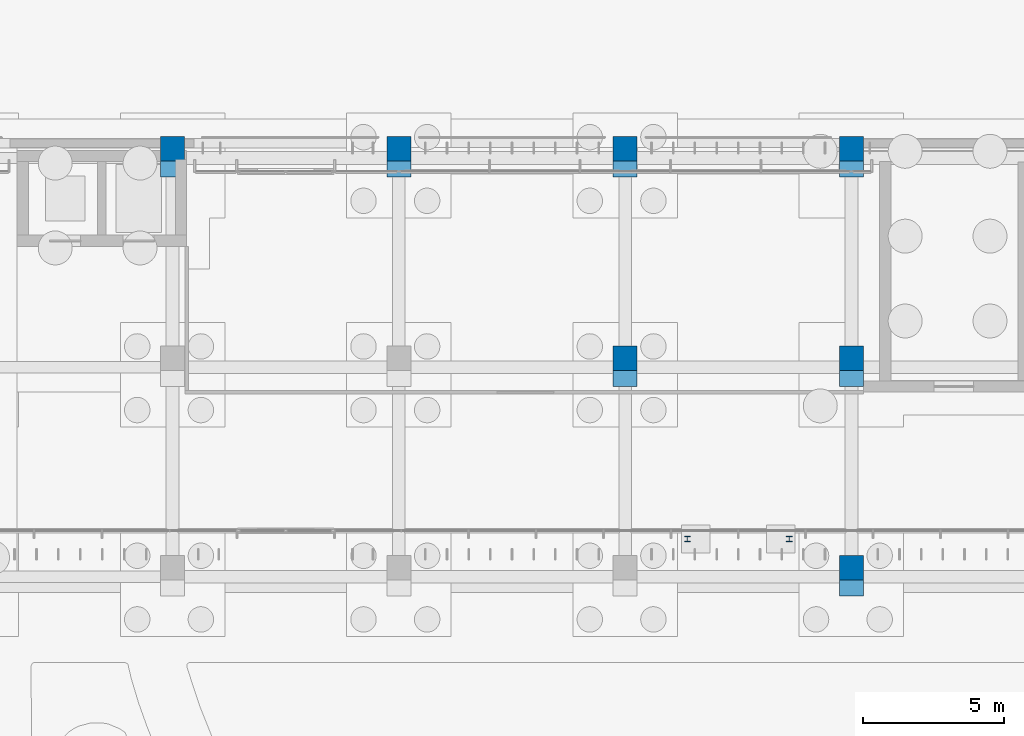
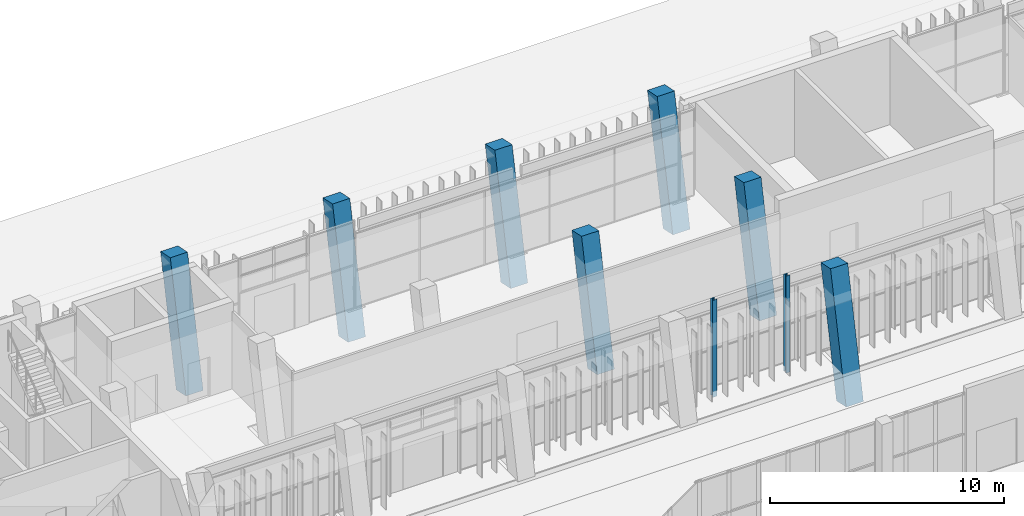
# One storey, part 23 of 144: 9 columns.
"""IFC4 building model written with IfcOpenShell, lengths in metres."""

import ifcopenshell
import ifcopenshell.guid

model = None  # the IFC model being written
_history = None  # IfcOwnerHistory: only IFC2X3 demands one
_inside = {}  # id of a spatial element -> (the spatial element, [elements in it])
_under = {}  # id of a project, library or spatial element -> (it, [spatial elements below it])
_declared = {}  # id of a project -> (the project, [libraries it declares])
_typed = {}  # id of a type object -> (the type object, [elements of that type])
_made_of = {}  # id of a material, layer set ... -> (it, [elements and type objects made of it])


def new_model(schema):
    """Start an empty IFC model of exactly this schema.

    Asked for "IFC4X3", IfcOpenShell would pick the latest addendum, in which some entities
    have other attributes; the version numbers below select the first issue.
    IFC2X3 requires an IfcOwnerHistory on every rooted entity: one is made here for all.
    """
    global model, _history
    if schema == "IFC4X3":
        model = ifcopenshell.file(schema_version=(4, 3, 0, 0))
    else:
        model = ifcopenshell.file(schema=schema)
    _inside.clear()
    _under.clear()
    _declared.clear()
    _typed.clear()
    _made_of.clear()
    _history = None
    if model.schema == "IFC2X3":
        org = make("IfcOrganization", Name="unknown")
        user = make(
            "IfcPersonAndOrganization",
            ThePerson=make("IfcPerson", FamilyName="unknown"),
            TheOrganization=org,
        )
        app = make(
            "IfcApplication",
            ApplicationDeveloper=org,
            Version="unknown",
            ApplicationFullName="unknown",
            ApplicationIdentifier="unknown",
        )
        _history = make(
            "IfcOwnerHistory",
            OwningUser=user,
            OwningApplication=app,
            ChangeAction="ADDED",
            CreationDate=0,
        )
    return model


def make(cls, **values):
    """One entity of the class cls with the attributes given. An attribute that is None is left unset."""
    return model.create_entity(
        cls, **{name: value for name, value in values.items() if value is not None}
    )


def rooted(cls, **values):
    """An entity with a GlobalId (a new one), such as an element, a storey or a relation."""
    return make(cls, GlobalId=ifcopenshell.guid.new(), OwnerHistory=_history, **values)


def si_unit(unit_type, name, prefix=None):
    """IfcSIUnit, for example si_unit("LENGTHUNIT", "METRE", prefix="MILLI")."""
    return make("IfcSIUnit", UnitType=unit_type, Prefix=prefix, Name=name)


def assignment(units):
    """IfcUnitAssignment: the units of a project."""
    return None if units is None else make("IfcUnitAssignment", Units=units)


def point(xyz):
    """IfcCartesianPoint."""
    return None if xyz is None else make("IfcCartesianPoint", Coordinates=xyz)


def direction(xyz):
    """IfcDirection."""
    return None if xyz is None else make("IfcDirection", DirectionRatios=xyz)


def frame(location, z_axis=None, x_axis=None):
    """IfcAxis2Placement3D, a coordinate frame: its origin and axes. An axis left out is left unset."""
    return make(
        "IfcAxis2Placement3D",
        Location=point(location),
        Axis=direction(z_axis),
        RefDirection=direction(x_axis),
    )


def frame_2d(location, x_axis=None):
    """IfcAxis2Placement2D, a coordinate frame in the plane: its origin and x axis."""
    return make(
        "IfcAxis2Placement2D", Location=point(location), RefDirection=direction(x_axis)
    )


def origin():
    """The frame at (0, 0, 0) with its axes left unset."""
    return frame((0.0, 0.0, 0.0))


def origin_2d():
    """The frame at (0, 0) in the plane with its x axis left unset."""
    return frame_2d((0.0, 0.0))


def place(relative_to, where):
    """IfcLocalPlacement: puts the frame where relative to a parent placement (None: the world)."""
    return make(
        "IfcLocalPlacement", PlacementRelTo=relative_to, RelativePlacement=where
    )


def context(
    kind, dimensions, precision=None, world=None, true_north=None, identifier=None
):
    """IfcGeometricRepresentationContext, for example the 3D "Model" context."""
    return make(
        "IfcGeometricRepresentationContext",
        ContextIdentifier=identifier,
        ContextType=kind,
        CoordinateSpaceDimension=dimensions,
        Precision=precision,
        WorldCoordinateSystem=world,
        TrueNorth=true_north,
    )


def subcontext(parent, identifier, kind, view, scale=None):
    """IfcGeometricRepresentationSubContext, for example "Body" below "Model"."""
    return make(
        "IfcGeometricRepresentationSubContext",
        ContextIdentifier=identifier,
        ContextType=kind,
        ParentContext=parent,
        TargetScale=scale,
        TargetView=view,
    )


def project(units=None, contexts=None):
    """IfcProject with its units and contexts."""
    return rooted(
        "IfcProject",
        Name="project",
        RepresentationContexts=contexts,
        UnitsInContext=assignment(units),
    )


def spatial(cls, under=None, at=None, **own):
    """A site, building, storey or space (cls), placed at a placement, below another one or the project."""
    s = rooted(cls, ObjectPlacement=at, **own)
    if under is not None:
        _under.setdefault(under.id(), (under, []))[1].append(s)
    return s


def profile(cls, at=None, kind="AREA", **sizes):
    """A parametric profile (cls). Its sizes go by their IFC names, for example OverallWidth=200.0."""
    return make(cls, ProfileType=kind, Position=at, **sizes)


def rectangle(**sizes):
    """IfcRectangleProfileDef."""
    return profile("IfcRectangleProfileDef", **sizes)


def i_section(**sizes):
    """IfcIShapeProfileDef."""
    return profile("IfcIShapeProfileDef", **sizes)


def extrude(swept, where, along, depth):
    """IfcExtrudedAreaSolid: the profile swept, set in the frame where, extruded along a direction by depth."""
    return make(
        "IfcExtrudedAreaSolid",
        SweptArea=swept,
        Position=where,
        ExtrudedDirection=direction(along),
        Depth=depth,
    )


def shape(context_of_items, identifier, shape_type, items):
    """IfcShapeRepresentation: the items that make up one representation, for example the "Body"."""
    return make(
        "IfcShapeRepresentation",
        ContextOfItems=context_of_items,
        RepresentationIdentifier=identifier,
        RepresentationType=shape_type,
        Items=items,
    )


def material(Name=None, Category=None):
    """IfcMaterial."""
    return make("IfcMaterial", Name=Name, Category=Category)


def material_profile(
    of_material, cross_section, Name=None, Category=None, Priority=None
):
    """IfcMaterialProfile: a cross section and its material."""
    return make(
        "IfcMaterialProfile",
        Name=Name,
        Material=of_material,
        Profile=cross_section,
        Priority=Priority,
        Category=Category,
    )


def profile_set(profiles, Name=None, composite=None):
    """IfcMaterialProfileSet."""
    return make(
        "IfcMaterialProfileSet",
        Name=Name,
        MaterialProfiles=profiles,
        CompositeProfile=composite,
    )


def made_of(thing, what):
    """Note that an element or type object is made of a material, layer set ...; save() writes the relation."""
    if what is not None:
        _made_of.setdefault(what.id(), (what, []))[1].append(thing)
    return thing


def type_object(cls, material=None, **own):
    """A type object (cls), such as IfcWallType, which elements share."""
    return made_of(rooted(cls, **own), material)


def element(
    cls,
    number,
    at=None,
    inside=None,
    cuts=None,
    type_object=None,
    material=None,
    context=None,
    identifier="Body",
    shape_type=None,
    held_by="IfcProductDefinitionShape",
    body=None,
    shapes=None,
    **own,
):
    """One element of the class cls, such as IfcWall. Its Tag is "e" and its number.

    at: its placement. inside: the storey or other place that contains it. cuts: it is an
    opening in that element (IfcRelVoidsElement). A single representation is given by context,
    identifier, shape_type and body (its items); several are given by shapes. held_by: the class
    of the entity that holds the representations. save() writes the other relations.
    """
    e = rooted(cls, Tag="e%d" % number, ObjectPlacement=at, **own)
    if body is not None:
        shapes = [shape(context, identifier, shape_type, body)]
    if shapes is not None:
        e.Representation = make(held_by, Representations=shapes)
    if inside is not None:
        _inside.setdefault(inside.id(), (inside, []))[1].append(e)
    if cuts is not None:
        rooted(
            "IfcRelVoidsElement", RelatingBuildingElement=cuts, RelatedOpeningElement=e
        )
    if type_object is not None:
        _typed.setdefault(type_object.id(), (type_object, []))[1].append(e)
    return made_of(e, material)


def aggregate(whole, parts):
    """IfcRelAggregates: a whole, such as a stair, and the parts it consists of."""
    return rooted("IfcRelAggregates", RelatingObject=whole, RelatedObjects=parts)


def save(model, path):
    """Write the relations noted so far, then the file.

    IfcRelAggregates (storeys below a building ...), IfcRelContainedInSpatialStructure (elements
    in a storey), IfcRelDefinesByType, IfcRelAssociatesMaterial and IfcRelDeclares: one each for
    every whole, place, type object, material and project.
    """
    for whole, parts in _under.values():
        aggregate(whole, parts)
    for where, things in _inside.values():
        rooted(
            "IfcRelContainedInSpatialStructure",
            RelatedElements=things,
            RelatingStructure=where,
        )
    for kind, things in _typed.values():
        rooted("IfcRelDefinesByType", RelatedObjects=things, RelatingType=kind)
    for what, things in _made_of.values():
        rooted("IfcRelAssociatesMaterial", RelatedObjects=things, RelatingMaterial=what)
    for by, libraries in _declared.values():
        rooted("IfcRelDeclares", RelatingContext=by, RelatedDefinitions=libraries)
    model.write(path)


model = new_model("IFC4")

# Units and contexts
model_context = context("Model", 3, precision=1e-05, world=origin(), true_north=direction((0.0, 1.0)))
body_context = subcontext(model_context, "Body", "Model", "MODEL_VIEW")
ifc_project = project(units=[si_unit("LENGTHUNIT", "METRE"), si_unit("AREAUNIT", "SQUARE_METRE"), si_unit("VOLUMEUNIT", "CUBIC_METRE"), si_unit("PLANEANGLEUNIT", "RADIAN"), si_unit("MASSUNIT", "GRAM", prefix="KILO")], contexts=[model_context])

# Site, building, storey
site_placement = place(None, origin())
site = spatial("IfcSite", under=ifc_project, at=site_placement, CompositionType="ELEMENT")
building_placement = place(site_placement, origin())
building = spatial("IfcBuilding", under=site, at=building_placement, Name="Lantern Court Media Centre", CompositionType="ELEMENT")
storey_placement = place(building_placement, origin())
storey = spatial("IfcBuildingStorey", under=building, at=storey_placement, Name="L00", CompositionType="ELEMENT", Elevation=0.0)

# Columns
ifc_material_1 = material(Name="Steel S355J2 (EN 10025-2)", Category="steel")
ifc_material_profile_1 = material_profile(ifc_material_1, i_section(OverallWidth=0.199951171875, OverallDepth=0.199951171875, WebThickness=0.009033203125, FlangeThickness=0.014892578125, FilletRadius=0.01806640625, at=origin_2d()), Name="HEB 200")
ifc_profile_set_1 = profile_set([ifc_material_profile_1], Name="Steel S355J2 (EN 10025-2)")
column_type_1 = type_object("IfcColumnType", Name="Court bridge north pier HEB 200", PredefinedType="COLUMN", material=ifc_profile_set_1)
for number, where, z_axis, x_axis, name in (
    (1, (50.199951171875, 97.860107421875, -0.25), (0.0, 0.0, 1.0), (1.0, 0.0, 0.0), "Court bridge north bearing pier 1 lower"),
    (2, (53.800048828125, 97.860107421875, -0.25), (0.0, 0.0, 1.0), (1.0, 0.0, 0.0), "Court bridge north bearing pier 2 lower"),
):
    element("IfcColumn", number, at=place(storey_placement, frame(where, z_axis=z_axis, x_axis=x_axis)), inside=storey, type_object=column_type_1, Name=name, PredefinedType="COLUMN", context=body_context, shape_type="SweptSolid", body=[
        extrude(i_section(OverallWidth=0.199951171875, OverallDepth=0.199951171875, WebThickness=0.009033203125, FlangeThickness=0.014892578125, FilletRadius=0.01806640625, at=origin_2d()), origin(), (0.0, 0.0, 1.0), 5.050048828125),
    ])
ifc_material_2 = material(Name="Concrete C35", Category="concrete")
ifc_material_profile_2 = material_profile(ifc_material_2, rectangle(XDim=0.85009765625, YDim=0.85009765625, at=origin_2d()), Name="RC 850x850")
ifc_profile_set_2 = profile_set([ifc_material_profile_2], Name="Concrete C35")
column_type_2 = type_object("IfcColumnType", Name="RC COLUMN 850x850", PredefinedType="COLUMN", material=ifc_profile_set_2)
for number, where, z_axis, x_axis, name in (
    (3, (56.0, 96.2666015625, -1.60009765625), (0.0, 0.203973640709, 0.978976380663), (-1.0, 0.0, 0.0), "C-N-0-4-L00"),
    (4, (48.0, 103.666748046875, -1.60009765625), (0.0, 0.203937849881, 0.978983837142), (-1.0, 0.0, 0.0), "C-N-1-3-L00"),
    (5, (56.0, 103.666748046875, -1.60009765625), (0.0, 0.203937849881, 0.978983837142), (-1.0, 0.0, 0.0), "C-N-1-4-L00"),
    (6, (32.0, 111.066650390625, -1.60009765625), (0.0, 0.203937849881, 0.978983837142), (-1.0, 0.0, 0.0), "C-N-2-1-L00"),
    (7, (40.0, 111.066650390625, -1.60009765625), (0.0, 0.203937849881, 0.978983837142), (-1.0, 0.0, 0.0), "C-N-2-2-L00"),
    (8, (48.0, 111.066650390625, -1.60009765625), (0.0, 0.203937849881, 0.978983837142), (-1.0, 0.0, 0.0), "C-N-2-3-L00"),
    (9, (56.0, 111.066650390625, -1.60009765625), (0.0, 0.203937849881, 0.978983837142), (-1.0, 0.0, 0.0), "C-N-2-4-L00"),
):
    element("IfcColumn", number, at=place(storey_placement, frame(where, z_axis=z_axis, x_axis=x_axis)), inside=storey, type_object=column_type_2, Name=name, PredefinedType="COLUMN", context=body_context, shape_type="SweptSolid", body=[
        extrude(rectangle(XDim=0.85009765625, YDim=0.85009765625, at=origin_2d()), origin(), (0.0, 0.0, 1.0), 6.53759765625),
    ])

save(model, "model.ifc")
